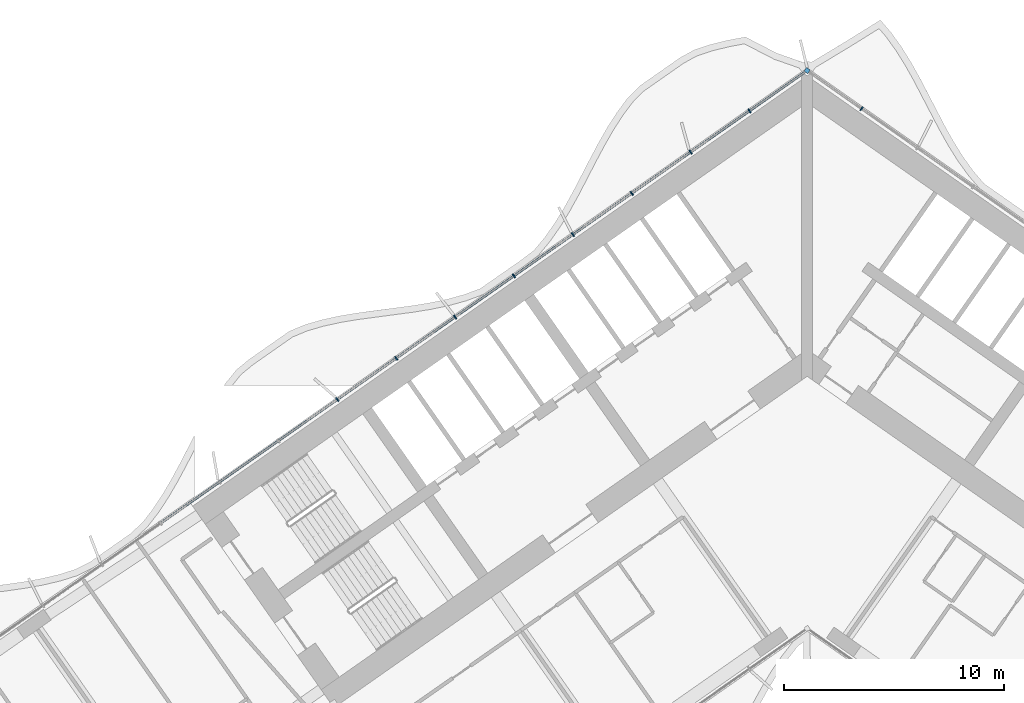
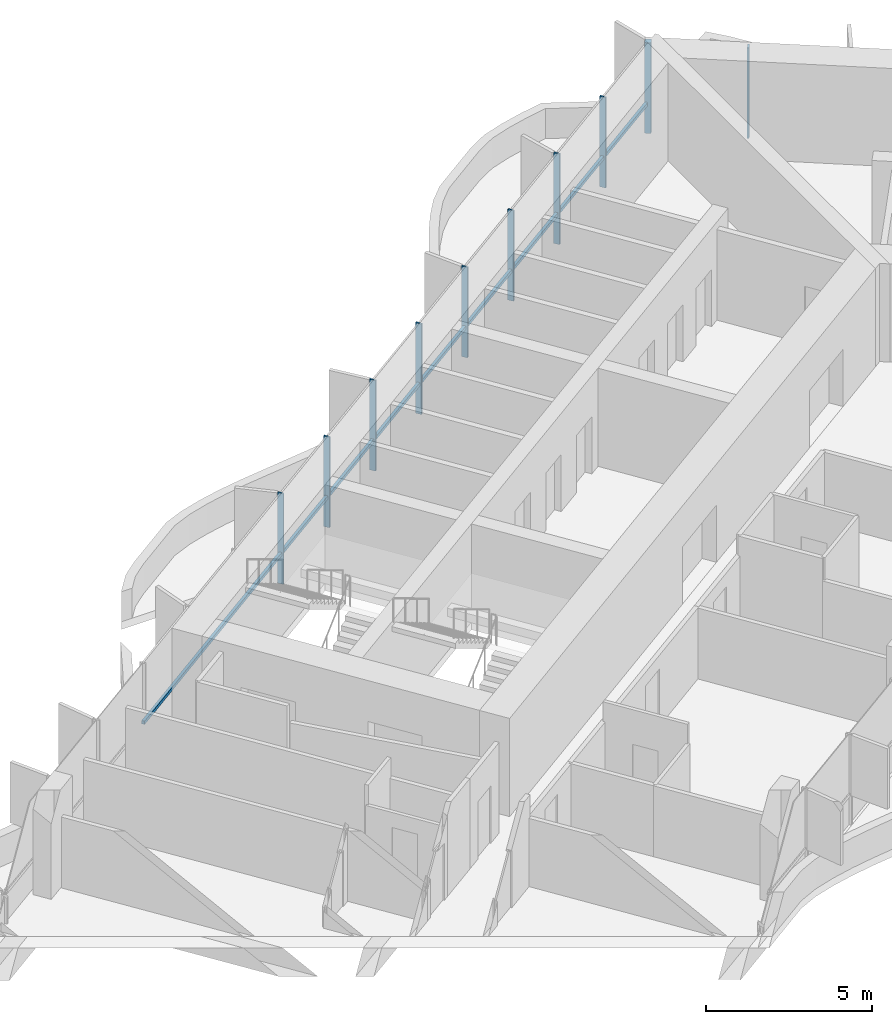
# One storey, part 7 of 24: 11 members, 1 element without a shape of its own.
"""IFC4 building model written with IfcOpenShell, lengths in metres."""

from ifc_helpers import new_model, si_unit, direction, frame, origin, origin_2d, place, context, subcontext, project, spatial, rectangle, extrude, material, material_profile, profile_set, type_object, element, aggregate, save


model = new_model("IFC4")

# Units and contexts
model_context = context("Model", 3, precision=1e-05, world=origin(), true_north=direction((0.0, 1.0)))
body_context = subcontext(model_context, "Body", "Model", "MODEL_VIEW")
ifc_project = project(units=[si_unit("LENGTHUNIT", "METRE"), si_unit("AREAUNIT", "SQUARE_METRE"), si_unit("VOLUMEUNIT", "CUBIC_METRE"), si_unit("PLANEANGLEUNIT", "RADIAN"), si_unit("MASSUNIT", "GRAM", prefix="KILO")], contexts=[model_context])

# Site, building, storey
site_placement = place(None, origin())
site = spatial("IfcSite", under=ifc_project, at=site_placement, CompositionType="ELEMENT")
building_placement = place(site_placement, origin())
building = spatial("IfcBuilding", under=site, at=building_placement, Name="Tel Ilan Convention Tower", CompositionType="ELEMENT")
storey_placement = place(building_placement, frame((0.0, 0.0, 90.5)))
storey = spatial("IfcBuildingStorey", under=building, at=storey_placement, Name="L18", CompositionType="ELEMENT", Elevation=90.5)

# Curtain wall, members
ifc_material_1 = material(Name="Aluminium, bronze anodised", Category="aluminium")
curtain_wall_type = type_object("IfcCurtainWallType", Name="CW2 STICK CURTAIN WALL, SPANDREL PANELS", PredefinedType="NOTDEFINED", material=ifc_material_1)
curtain_wall_placement = place(storey_placement, origin())
curtain_wall = element("IfcCurtainWall", 1, at=curtain_wall_placement, inside=storey, type_object=curtain_wall_type, Name="Curtain wall CW2-16.01", PredefinedType="NOTDEFINED")
ifc_material_2 = material(Name="Aluminium, bronze anodised", Category="aluminium")
ifc_material_profile_1 = material_profile(ifc_material_2, rectangle(XDim=0.199951171875, YDim=0.199951171875, at=origin_2d()), Name="CW CORNER MULLION 200x200")
ifc_profile_set_1 = profile_set([ifc_material_profile_1], Name="Aluminium, bronze anodised")
member_type_1 = type_object("IfcMemberType", Name="CW CORNER MULLION 200x200", PredefinedType="MULLION", material=ifc_profile_set_1)
member_1_placement = place(storey_placement, frame((0.0, 12.696044921875, 0.0), z_axis=(0.0, 0.0, 1.0), x_axis=(-0.819152044289, 0.573576436351, 0.0)))
member_1 = element("IfcMember", 2, at=member_1_placement, type_object=member_type_1, Name="Corner mullion", PredefinedType="MULLION", context=body_context, shape_type="SweptSolid", body=[
    extrude(rectangle(XDim=0.199951171875, YDim=0.199951171875, at=origin_2d()), origin(), (0.0, 0.0, 1.0), 3.320068359375),
])
ifc_material_3 = material(Name="Aluminium, bronze anodised", Category="aluminium")
ifc_material_profile_2 = material_profile(ifc_material_3, rectangle(XDim=0.06005859375, YDim=0.199951171875, at=origin_2d()), Name="CW MULLION 60x200")
ifc_profile_set_2 = profile_set([ifc_material_profile_2], Name="Aluminium, bronze anodised")
member_type_2 = type_object("IfcMemberType", Name="CW MULLION 60x200", PredefinedType="MULLION", material=ifc_profile_set_2)
member_2_placement = place(storey_placement, frame((2.4794921875, 10.9599609375, 0.0), z_axis=(0.0, 0.0, 1.0), x_axis=(-0.819152044289, 0.573576436351, 0.0)))
member_2 = element("IfcMember", 3, at=member_2_placement, type_object=member_type_2, Name="Mullion", PredefinedType="MULLION", context=body_context, shape_type="SweptSolid", body=[
    extrude(rectangle(XDim=0.06005859375, YDim=0.199951171875, at=origin_2d()), origin(), (0.0, 0.0, 1.0), 3.320068359375),
])
member_3_placement = place(storey_placement, frame((-2.622802734375, 10.859375, 0.0), z_axis=(0.0, 0.0, 1.0), x_axis=(-0.819152044289, -0.573576436351, 0.0)))
member_3 = element("IfcMember", 4, at=member_3_placement, type_object=member_type_2, Name="Mullion", PredefinedType="MULLION", context=body_context, shape_type="SweptSolid", body=[
    extrude(rectangle(XDim=0.06005859375, YDim=0.199951171875, at=origin_2d()), origin(), (0.0, 0.0, 1.0), 3.320068359375),
])
member_4_placement = place(storey_placement, frame((-5.30322265625, 8.982666015625, 0.0), z_axis=(0.0, 0.0, 1.0), x_axis=(-0.819152044289, -0.573576436351, 0.0)))
member_4 = element("IfcMember", 5, at=member_4_placement, type_object=member_type_2, Name="Mullion", PredefinedType="MULLION", context=body_context, shape_type="SweptSolid", body=[
    extrude(rectangle(XDim=0.06005859375, YDim=0.199951171875, at=origin_2d()), origin(), (0.0, 0.0, 1.0), 3.320068359375),
])
member_5_placement = place(storey_placement, frame((-7.9833984375, 7.10595703125, 0.0), z_axis=(0.0, 0.0, 1.0), x_axis=(-0.819152044289, -0.573576436351, 0.0)))
member_5 = element("IfcMember", 6, at=member_5_placement, type_object=member_type_2, Name="Mullion", PredefinedType="MULLION", context=body_context, shape_type="SweptSolid", body=[
    extrude(rectangle(XDim=0.06005859375, YDim=0.199951171875, at=origin_2d()), origin(), (0.0, 0.0, 1.0), 3.320068359375),
])
member_6_placement = place(storey_placement, frame((-10.663818359375, 5.229248046875, 0.0), z_axis=(0.0, 0.0, 1.0), x_axis=(-0.819152044289, -0.573576436351, 0.0)))
member_6 = element("IfcMember", 7, at=member_6_placement, type_object=member_type_2, Name="Mullion", PredefinedType="MULLION", context=body_context, shape_type="SweptSolid", body=[
    extrude(rectangle(XDim=0.06005859375, YDim=0.199951171875, at=origin_2d()), origin(), (0.0, 0.0, 1.0), 3.320068359375),
])
member_7_placement = place(storey_placement, frame((-13.343994140625, 3.3525390625, 0.0), z_axis=(0.0, 0.0, 1.0), x_axis=(-0.819152044289, -0.573576436351, 0.0)))
member_7 = element("IfcMember", 8, at=member_7_placement, type_object=member_type_2, Name="Mullion", PredefinedType="MULLION", context=body_context, shape_type="SweptSolid", body=[
    extrude(rectangle(XDim=0.06005859375, YDim=0.199951171875, at=origin_2d()), origin(), (0.0, 0.0, 1.0), 3.320068359375),
])
member_8_placement = place(storey_placement, frame((-16.024169921875, 1.475830078125, 0.0), z_axis=(0.0, 0.0, 1.0), x_axis=(-0.819152044289, -0.573576436351, 0.0)))
member_8 = element("IfcMember", 9, at=member_8_placement, type_object=member_type_2, Name="Mullion", PredefinedType="MULLION", context=body_context, shape_type="SweptSolid", body=[
    extrude(rectangle(XDim=0.06005859375, YDim=0.199951171875, at=origin_2d()), origin(), (0.0, 0.0, 1.0), 3.320068359375),
])
member_9_placement = place(storey_placement, frame((-18.70458984375, -0.401123046875, 0.0), z_axis=(0.0, 0.0, 1.0), x_axis=(-0.819152044289, -0.573576436351, 0.0)))
member_9 = element("IfcMember", 10, at=member_9_placement, type_object=member_type_2, Name="Mullion", PredefinedType="MULLION", context=body_context, shape_type="SweptSolid", body=[
    extrude(rectangle(XDim=0.06005859375, YDim=0.199951171875, at=origin_2d()), origin(), (0.0, 0.0, 1.0), 3.320068359375),
])
member_10_placement = place(storey_placement, frame((-21.384765625, -2.27783203125, 0.0), z_axis=(0.0, 0.0, 1.0), x_axis=(-0.819152044289, -0.573576436351, 0.0)))
member_10 = element("IfcMember", 11, at=member_10_placement, type_object=member_type_2, Name="Mullion", PredefinedType="MULLION", context=body_context, shape_type="SweptSolid", body=[
    extrude(rectangle(XDim=0.06005859375, YDim=0.199951171875, at=origin_2d()), origin(), (0.0, 0.0, 1.0), 3.320068359375),
])
ifc_material_4 = material(Name="Aluminium, bronze anodised", Category="aluminium")
ifc_material_profile_3 = material_profile(ifc_material_4, rectangle(XDim=0.10009765625, YDim=0.1201171875, at=origin_2d()), Name="CW TRANSOM 100x120")
ifc_profile_set_3 = profile_set([ifc_material_profile_3], Name="Aluminium, bronze anodised")
member_type_3 = type_object("IfcMemberType", Name="CW TRANSOM 100x120", PredefinedType="USERDEFINED", material=ifc_profile_set_3)
member_11_placement = place(storey_placement, frame((-0.1064453125, 12.62158203125, 1.10009765625), z_axis=(-0.81915076999, -0.573578256234, 0.0), x_axis=(0.573578256234, -0.81915076999, 0.0)))
member_11 = element("IfcMember", 12, at=member_11_placement, type_object=member_type_3, Name="Transom", ObjectType="TRANSOM", PredefinedType="USERDEFINED", context=body_context, shape_type="SweptSolid", body=[
    extrude(rectangle(XDim=0.10009765625, YDim=0.1201171875, at=origin_2d()), origin(), (0.0, 0.0, 1.0), 35.76220703125),
])
aggregate(curtain_wall, [member_2, member_1, member_3, member_4, member_5, member_6, member_7, member_8, member_9, member_10, member_11])

save(model, "model.ifc")
